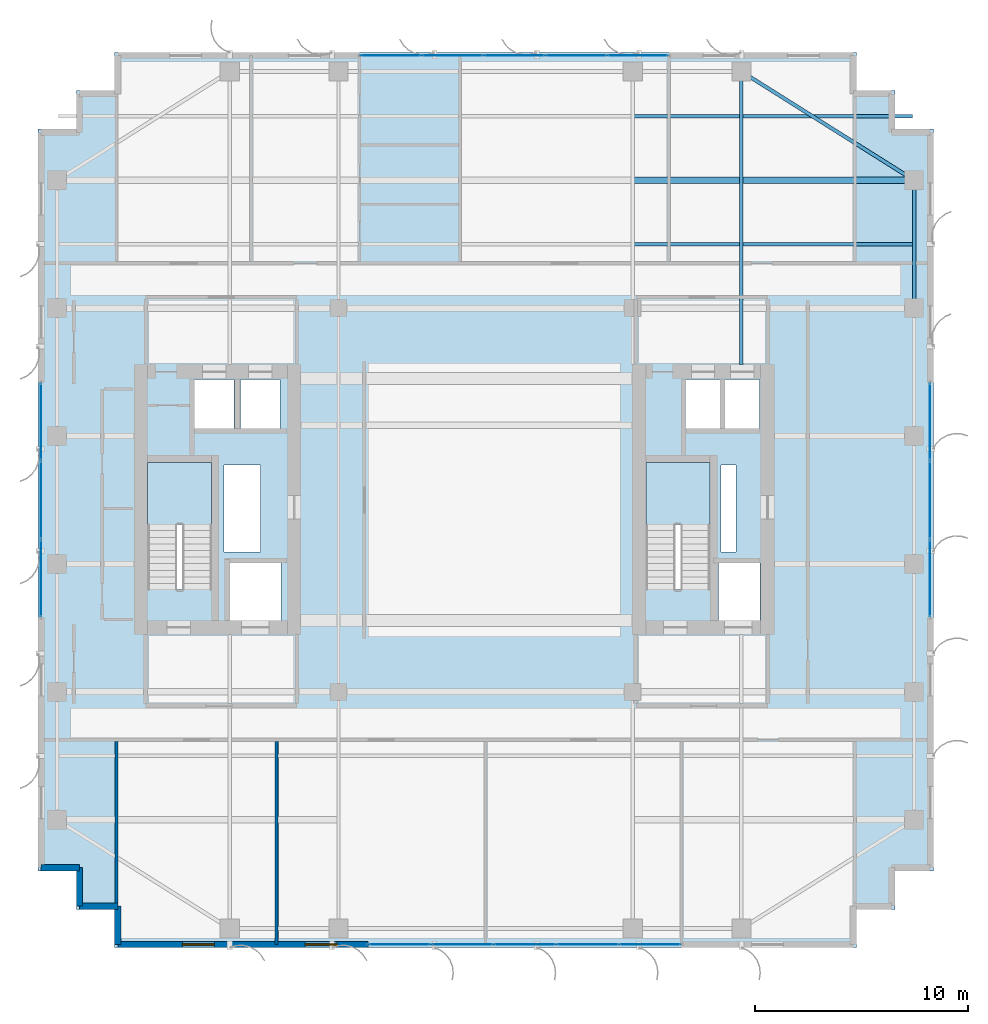
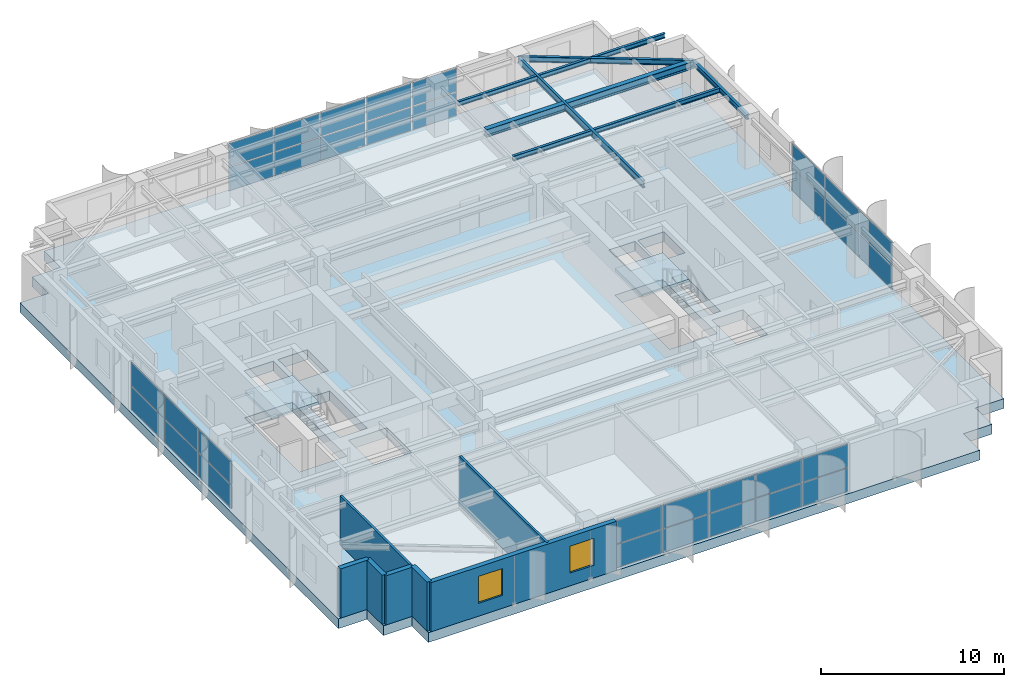
# One storey, part 18 of 25: 32 plates, 7 walls, 6 beams, 3 slabs, 2 windows, 2 openings, 6 elements without a shape of their own.
"""IFC4 building model written with IfcOpenShell, lengths in metres."""

from ifc_helpers import new_model, si_unit, direction, frame, frame_2d, origin, origin_2d, place, context, subcontext, project, spatial, polyline, rectangle, i_section, outline, extrude, source, transform, mapped, material, layer, layer_set, material_profile, profile_set, type_object, element, fill, aggregate, save


model = new_model("IFC4")

# Units and contexts
model_context = context("Model", 3, precision=1e-05, world=origin(), true_north=direction((0.0, 1.0)))
body_context = subcontext(model_context, "Body", "Model", "MODEL_VIEW")
ifc_project = project(units=[si_unit("LENGTHUNIT", "METRE"), si_unit("AREAUNIT", "SQUARE_METRE"), si_unit("VOLUMEUNIT", "CUBIC_METRE"), si_unit("PLANEANGLEUNIT", "RADIAN"), si_unit("MASSUNIT", "GRAM", prefix="KILO")], contexts=[model_context])

# Site, building, storey
site_placement = place(None, origin())
site = spatial("IfcSite", under=ifc_project, at=site_placement, CompositionType="ELEMENT")
building_placement = place(site_placement, origin())
building = spatial("IfcBuilding", under=site, at=building_placement, Name="Khoralis Quay Care Tower", CompositionType="ELEMENT")
storey_placement = place(building_placement, frame((0.0, 0.0, 216.89990234375)))
storey = spatial("IfcBuildingStorey", under=building, at=storey_placement, Name="L57", CompositionType="ELEMENT", Elevation=216.89990234375)

# Beams
ifc_material_1 = material(Name="Steel S355", Category="steel")
ifc_material_profile_1 = material_profile(ifc_material_1, i_section(OverallWidth=0.169921875, OverallDepth=0.360107421875, WebThickness=0.008056640625, FlangeThickness=0.0126953125, FilletRadius=0.01806640625, at=origin_2d()), Name="Steel S355")
ifc_profile_set_1 = profile_set([ifc_material_profile_1], Name="Steel S355")
beam_type_1 = type_object("IfcBeamType", Name="BM-IPE360", PredefinedType="SPANDREL", material=ifc_profile_set_1)
shared_shape_1 = source(origin(), body_context, "Body", "SweptSolid", [
    extrude(i_section(OverallWidth=0.169921875, OverallDepth=0.360107421875, WebThickness=0.008056640625, FlangeThickness=0.0126953125, FilletRadius=0.01806640625, at=origin_2d()), origin(), (0.0, 0.0, 1.0), 6.0),
])
beam_1_placement = place(storey_placement, frame((44.10009765625, 30.0, 3.10009765625), z_axis=(0.0, 1.0, 0.0), x_axis=(-1.0, 0.0, 0.0)))
element("IfcBeam", 1, at=beam_1_placement, inside=storey, type_object=beam_type_1, Name="BM-TSP-L57-16", PredefinedType="SPANDREL", context=body_context, shape_type="MappedRepresentation", body=[
    mapped(shared_shape_1, transform((0.0, 0.0, 0.0), scale=1.0)),
])
shared_shape_2 = source(origin(), body_context, "Body", "SweptSolid", [
    extrude(i_section(OverallWidth=0.169921875, OverallDepth=0.360107421875, WebThickness=0.008056640625, FlangeThickness=0.0126953125, FilletRadius=0.01806640625, at=origin_2d()), origin(), (0.0, 0.0, 1.0), 9.572021484375),
])
beam_2_placement = place(storey_placement, frame((36.0, 41.10009765625, 3.10009765625), z_axis=(0.846231136359, -0.532815975602, 0.0), x_axis=(0.532815975602, 0.846231136359, 0.0)))
element("IfcBeam", 2, at=beam_2_placement, inside=storey, type_object=beam_type_1, Name="BM-TCR-L57-20", PredefinedType="SPANDREL", context=body_context, shape_type="MappedRepresentation", body=[
    mapped(shared_shape_2, transform((0.0, 0.0, 0.0), scale=1.0)),
])
ifc_material_profile_2 = material_profile(ifc_material_1, i_section(OverallWidth=0.300048828125, OverallDepth=0.5, WebThickness=0.014404296875, FlangeThickness=0.028076171875, FilletRadius=0.027099609375, at=origin_2d()), Name="Steel S355")
ifc_profile_set_2 = profile_set([ifc_material_profile_2], Name="Steel S355")
beam_type_2 = type_object("IfcBeamType", Name="BM-HEB500", PredefinedType="BEAM", material=ifc_profile_set_2)
shared_shape_3 = source(origin(), body_context, "Body", "SweptSolid", [
    extrude(i_section(OverallWidth=0.300048828125, OverallDepth=0.5, WebThickness=0.014404296875, FlangeThickness=0.028076171875, FilletRadius=0.027099609375, at=origin_2d()), origin(), (0.0, 0.0, 1.0), 13.135009765625),
])
beam_3_placement = place(storey_placement, frame((30.965087890625, 36.0, 3.030029296875), z_axis=(1.0, 0.0, 0.0), x_axis=(0.0, 1.0, 0.0)))
element("IfcBeam", 3, at=beam_3_placement, inside=storey, type_object=beam_type_2, Name="BM-TGXE-L57-360", PredefinedType="BEAM", context=body_context, shape_type="MappedRepresentation", body=[
    mapped(shared_shape_3, transform((0.0, 0.0, 0.0), scale=1.0)),
])
ifc_material_profile_3 = material_profile(ifc_material_1, i_section(OverallWidth=0.154052734375, OverallDepth=0.458984375, WebThickness=0.009033203125, FlangeThickness=0.015380859375, FilletRadius=0.014892578125, at=origin_2d()), Name="Steel S355")
ifc_profile_set_3 = profile_set([ifc_material_profile_3], Name="Steel S355")
beam_type_3 = type_object("IfcBeamType", Name="BM-W460X68", PredefinedType="BEAM", material=ifc_profile_set_3)
shared_shape_4 = source(origin(), body_context, "Body", "SweptSolid", [
    extrude(i_section(OverallWidth=0.154052734375, OverallDepth=0.458984375, WebThickness=0.009033203125, FlangeThickness=0.015380859375, FilletRadius=0.014892578125, at=origin_2d()), origin(), (0.0, 0.0, 1.0), 13.752197265625),
])
beam_4_placement = place(storey_placement, frame((36.0, 27.347900390625, 3.050537109375), z_axis=(0.0, 1.0, 0.0), x_axis=(-1.0, 0.0, 0.0)))
element("IfcBeam", 4, at=beam_4_placement, inside=storey, type_object=beam_type_3, Name="BM-TGYN-L57-360", PredefinedType="BEAM", context=body_context, shape_type="MappedRepresentation", body=[
    mapped(shared_shape_4, transform((0.0, 0.0, 0.0), scale=1.0)),
])
ifc_material_profile_4 = material_profile(ifc_material_1, i_section(OverallWidth=0.1650390625, OverallDepth=0.31005859375, WebThickness=0.005859375, FlangeThickness=0.009765625, FilletRadius=0.011962890625, at=origin_2d()), Name="Steel S355")
ifc_profile_set_4 = profile_set([ifc_material_profile_4], Name="Steel S355")
beam_type_4 = type_object("IfcBeamType", Name="BM-W310X39", PredefinedType="JOIST", material=ifc_profile_set_4)
shared_shape_5 = source(origin(), body_context, "Body", "SweptSolid", [
    extrude(i_section(OverallWidth=0.1650390625, OverallDepth=0.31005859375, WebThickness=0.005859375, FlangeThickness=0.009765625, FilletRadius=0.011962890625, at=origin_2d()), origin(), (0.0, 0.0, 1.0), 13.06396484375),
])
for number, where, z_axis, x_axis, name in (
    (5, (30.965087890625, 33.0, 3.125), (1.0, 0.0, 0.0), (0.0, 1.0, 0.0), "BM-TJS-L57-25"),
    (6, (30.965087890625, 39.0, 3.125), (1.0, 0.0, 0.0), (0.0, 1.0, 0.0), "BM-TJS-L57-28"),
):
    element("IfcBeam", number, at=place(storey_placement, frame(where, z_axis=z_axis, x_axis=x_axis)), inside=storey, type_object=beam_type_4, Name=name, PredefinedType="JOIST", context=body_context, shape_type="MappedRepresentation", body=[
        mapped(shared_shape_5, transform((0.0, 0.0, 0.0), scale=1.0)),
    ])

# Stair, slab
ifc_material_2 = material(Name="Precast concrete C45/55", Category="concrete")
stair_type = type_object("IfcStairType", Name="ST-TWR-DOGLEG-1400", PredefinedType="HALF_TURN_STAIR", material=ifc_material_2)
stair_1_placement = place(storey_placement, origin())
stair_1 = element("IfcStair", 7, at=stair_1_placement, inside=storey, type_object=stair_type, Name="L57 West Core Exit Stair ST-T1", PredefinedType="HALF_TURN_STAIR")
ifc_layer_1 = layer(ifc_material_2, 0.199951171875)
ifc_layer_set_1 = layer_set([ifc_layer_1], Name="Precast concrete C45/55")
slab_type_1 = type_object("IfcSlabType", Name="SLB-LANDING-200", PredefinedType="LANDING", material=ifc_layer_set_1)
slab_1_placement = place(storey_placement, frame((0.0, 0.0, 1.60009765625)))
slab_1 = element("IfcSlab", 8, at=slab_1_placement, type_object=slab_type_1, Name="ST-T1 landing 1", PredefinedType="LANDING", context=body_context, shape_type="SweptSolid", body=[
    extrude(outline(polyline([(11.14990234375, 19.840087890625), (11.14990234375, 22.75), (8.14990234375, 22.75), (8.14990234375, 19.840087890625), (11.14990234375, 19.840087890625)])), origin(), (0.0, 0.0, 1.0), 0.199951171875),
])
aggregate(stair_1, [slab_1])

stair_2_placement = place(storey_placement, origin())
stair_2 = element("IfcStair", 9, at=stair_2_placement, inside=storey, type_object=stair_type, Name="L57 East Core Exit Stair ST-T2", PredefinedType="HALF_TURN_STAIR")
slab_2_placement = place(storey_placement, frame((0.0, 0.0, 1.60009765625)))
slab_2 = element("IfcSlab", 10, at=slab_2_placement, type_object=slab_type_1, Name="ST-T2 landing 1", PredefinedType="LANDING", context=body_context, shape_type="SweptSolid", body=[
    extrude(outline(polyline([(34.52001953125, 19.840087890625), (34.52001953125, 22.75), (31.52001953125, 22.75), (31.52001953125, 19.840087890625), (34.52001953125, 19.840087890625)])), origin(), (0.0, 0.0, 1.0), 0.199951171875),
])
aggregate(stair_2, [slab_2])

# Slab
ifc_material_3 = material(Name="Concrete C65/80", Category="concrete")
ifc_layer_2 = layer(ifc_material_3, 0.64990234375)
ifc_layer_set_2 = layer_set([ifc_layer_2], Name="Concrete C65/80")
slab_type_2 = type_object("IfcSlabType", Name="SLB-TRANS-650", PredefinedType="FLOOR", material=ifc_layer_set_2)
slab_3_placement = place(storey_placement, frame((0.0, 0.0, -0.64990234375)))
element("IfcSlab", 11, at=slab_3_placement, inside=storey, type_object=slab_type_2, Name="Tower Floor Slab L57", PredefinedType="FLOOR", context=body_context, shape_type="SweptSolid", body=[
    extrude(outline(polyline([(6.60009765625, 0.0), (41.39990234375, 0.0), (41.39990234375, 1.800048828125), (43.199951171875, 1.800048828125), (43.199951171875, 3.60009765625), (45.0, 3.60009765625), (45.0, 38.39990234375), (43.199951171875, 38.39990234375), (43.199951171875, 40.199951171875), (41.39990234375, 40.199951171875), (41.39990234375, 42.0), (6.60009765625, 42.0), (6.60009765625, 40.199951171875), (4.800048828125, 40.199951171875), (4.800048828125, 38.39990234375), (3.0, 38.39990234375), (3.0, 3.60009765625), (4.800048828125, 3.60009765625), (4.800048828125, 1.800048828125), (6.60009765625, 1.800048828125), (6.60009765625, 0.0)]), holes=[polyline([(11.14990234375, 16.800048828125), (11.14990234375, 22.75), (8.14990234375, 22.75), (8.14990234375, 16.800048828125), (11.14990234375, 16.800048828125)]), polyline([(34.52001953125, 16.800048828125), (34.52001953125, 22.75), (31.52001953125, 22.75), (31.52001953125, 16.800048828125), (34.52001953125, 16.800048828125)]), polyline([(12.0, 15.35009765625), (14.39990234375, 15.35009765625), (14.39990234375, 18.050048828125), (12.0, 18.050048828125), (12.0, 15.35009765625)]), polyline([(34.919921875, 15.35009765625), (36.8798828125, 15.35009765625), (36.8798828125, 18.050048828125), (34.919921875, 18.050048828125), (34.919921875, 15.35009765625)]), polyline([(10.35009765625, 24.35009765625), (12.199951171875, 24.35009765625), (12.199951171875, 26.64990234375), (10.35009765625, 26.64990234375), (10.35009765625, 24.35009765625)]), polyline([(33.3798828125, 24.35009765625), (35.030029296875, 24.35009765625), (35.030029296875, 26.64990234375), (33.3798828125, 26.64990234375), (33.3798828125, 24.35009765625)]), polyline([(12.5, 24.35009765625), (14.35009765625, 24.35009765625), (14.35009765625, 26.64990234375), (12.5, 26.64990234375), (12.5, 24.35009765625)]), polyline([(35.199951171875, 24.35009765625), (36.85009765625, 24.35009765625), (36.85009765625, 26.64990234375), (35.199951171875, 26.64990234375), (35.199951171875, 24.35009765625)]), polyline([(11.719970703125, 18.550048828125), (13.449951171875, 18.550048828125), (13.449951171875, 22.64990234375), (11.719970703125, 22.64990234375), (11.719970703125, 18.550048828125)]), polyline([(35.050048828125, 18.550048828125), (35.75, 18.550048828125), (35.75, 22.64990234375), (35.050048828125, 22.64990234375), (35.050048828125, 18.550048828125)])]), origin(), (0.0, 0.0, 1.0), 0.64990234375),
])

# Curtain wall, plates
ifc_material_4 = material(Name="Pale anodised aluminium", Category="aluminium")
ifc_layer_3 = layer(ifc_material_4, 0.159912109375)
ifc_layer_set_3 = layer_set([ifc_layer_3], Name="Pale anodised aluminium")
curtain_wall_type = type_object("IfcCurtainWallType", Name="CW-SYS-Z3", PredefinedType="NOTDEFINED", material=ifc_layer_set_3)
curtain_wall_1_placement = place(storey_placement, origin())
curtain_wall_1 = element("IfcCurtainWall", 12, at=curtain_wall_1_placement, inside=storey, type_object=curtain_wall_type, Name="L57 Unitised Curtain Wall CW-L57-P1-E0", PredefinedType="NOTDEFINED")
ifc_material_5 = material(Name="Low-E solar-control double glazing", Category="glass")
ifc_layer_4 = layer(ifc_material_5, 0.031982421875)
ifc_layer_set_4 = layer_set([ifc_layer_4], Name="Low-E solar-control double glazing")
plate_type = type_object("IfcPlateType", Name="PNL-VIS-32", PredefinedType="CURTAIN_PANEL", material=ifc_layer_set_4)
shared_shape_6 = source(origin(), body_context, "Body", "SweptSolid", [
    extrude(rectangle(XDim=2.85400390625, YDim=0.028076171875, at=origin_2d()), origin(), (0.0, 0.0, 1.0), 1.550048828125),
])
plate_1_placement = place(storey_placement, frame((19.967041015625, 0.14990234375, 0.06005859375), z_axis=(0.0, 0.0, 1.0), x_axis=(1.0, 0.0, 0.0)))
plate_1 = element("IfcPlate", 13, at=plate_1_placement, type_object=plate_type, Name="CW3 panel 1.1", PredefinedType="CURTAIN_PANEL", context=body_context, shape_type="MappedRepresentation", body=[
    mapped(shared_shape_6, transform((0.0, 0.0, 0.0), scale=1.0)),
])
plate_2_placement = place(storey_placement, frame((19.967041015625, 0.14990234375, 1.669921875), z_axis=(0.0, 0.0, 1.0), x_axis=(1.0, 0.0, 0.0)))
plate_2 = element("IfcPlate", 14, at=plate_2_placement, type_object=plate_type, Name="CW3 panel 1.2", PredefinedType="CURTAIN_PANEL", context=body_context, shape_type="MappedRepresentation", body=[
    mapped(shared_shape_6, transform((0.0, 0.0, 0.0), scale=1.0)),
])
plate_3_placement = place(storey_placement, frame((31.712890625, 0.14990234375, 0.06005859375), z_axis=(0.0, 0.0, 1.0), x_axis=(1.0, 0.0, 0.0)))
plate_3 = element("IfcPlate", 15, at=plate_3_placement, type_object=plate_type, Name="CW3 panel 5.1", PredefinedType="CURTAIN_PANEL", context=body_context, shape_type="MappedRepresentation", body=[
    mapped(shared_shape_6, transform((0.0, 0.0, 0.0), scale=1.0)),
])
plate_4_placement = place(storey_placement, frame((31.712890625, 0.14990234375, 1.669921875), z_axis=(0.0, 0.0, 1.0), x_axis=(1.0, 0.0, 0.0)))
plate_4 = element("IfcPlate", 16, at=plate_4_placement, type_object=plate_type, Name="CW3 panel 5.2", PredefinedType="CURTAIN_PANEL", context=body_context, shape_type="MappedRepresentation", body=[
    mapped(shared_shape_6, transform((0.0, 0.0, 0.0), scale=1.0)),
])
shared_shape_7 = source(origin(), body_context, "Body", "SweptSolid", [
    extrude(rectangle(XDim=2.884033203125, YDim=0.028076171875, at=origin_2d()), origin(), (0.0, 0.0, 1.0), 1.550048828125),
])
plate_5_placement = place(storey_placement, frame((22.89599609375, 0.14990234375, 0.06005859375), z_axis=(0.0, 0.0, 1.0), x_axis=(1.0, 0.0, 0.0)))
plate_5 = element("IfcPlate", 17, at=plate_5_placement, type_object=plate_type, Name="CW3 panel 2.1", PredefinedType="CURTAIN_PANEL", context=body_context, shape_type="MappedRepresentation", body=[
    mapped(shared_shape_7, transform((0.0, 0.0, 0.0), scale=1.0)),
])
plate_6_placement = place(storey_placement, frame((22.89599609375, 0.14990234375, 1.669921875), z_axis=(0.0, 0.0, 1.0), x_axis=(1.0, 0.0, 0.0)))
plate_6 = element("IfcPlate", 18, at=plate_6_placement, type_object=plate_type, Name="CW3 panel 2.2", PredefinedType="CURTAIN_PANEL", context=body_context, shape_type="MappedRepresentation", body=[
    mapped(shared_shape_7, transform((0.0, 0.0, 0.0), scale=1.0)),
])
plate_7_placement = place(storey_placement, frame((25.840087890625, 0.14990234375, 0.06005859375), z_axis=(0.0, 0.0, 1.0), x_axis=(1.0, 0.0, 0.0)))
plate_7 = element("IfcPlate", 19, at=plate_7_placement, type_object=plate_type, Name="CW3 panel 3.1", PredefinedType="CURTAIN_PANEL", context=body_context, shape_type="MappedRepresentation", body=[
    mapped(shared_shape_7, transform((0.0, 0.0, 0.0), scale=1.0)),
])
plate_8_placement = place(storey_placement, frame((25.840087890625, 0.14990234375, 1.669921875), z_axis=(0.0, 0.0, 1.0), x_axis=(1.0, 0.0, 0.0)))
plate_8 = element("IfcPlate", 20, at=plate_8_placement, type_object=plate_type, Name="CW3 panel 3.2", PredefinedType="CURTAIN_PANEL", context=body_context, shape_type="MappedRepresentation", body=[
    mapped(shared_shape_7, transform((0.0, 0.0, 0.0), scale=1.0)),
])
plate_9_placement = place(storey_placement, frame((28.783935546875, 0.14990234375, 0.06005859375), z_axis=(0.0, 0.0, 1.0), x_axis=(1.0, 0.0, 0.0)))
plate_9 = element("IfcPlate", 21, at=plate_9_placement, type_object=plate_type, Name="CW3 panel 4.1", PredefinedType="CURTAIN_PANEL", context=body_context, shape_type="MappedRepresentation", body=[
    mapped(shared_shape_7, transform((0.0, 0.0, 0.0), scale=1.0)),
])
plate_10_placement = place(storey_placement, frame((28.783935546875, 0.14990234375, 1.669921875), z_axis=(0.0, 0.0, 1.0), x_axis=(1.0, 0.0, 0.0)))
plate_10 = element("IfcPlate", 22, at=plate_10_placement, type_object=plate_type, Name="CW3 panel 4.2", PredefinedType="CURTAIN_PANEL", context=body_context, shape_type="MappedRepresentation", body=[
    mapped(shared_shape_7, transform((0.0, 0.0, 0.0), scale=1.0)),
])
aggregate(curtain_wall_1, [plate_1, plate_2, plate_5, plate_6, plate_7, plate_8, plate_9, plate_10, plate_3, plate_4])

curtain_wall_2_placement = place(storey_placement, origin())
curtain_wall_2 = element("IfcCurtainWall", 23, at=curtain_wall_2_placement, inside=storey, type_object=curtain_wall_type, Name="L57 Unitised Curtain Wall CW-L57-P1-E5", PredefinedType="NOTDEFINED")
shared_shape_8 = source(origin(), body_context, "Body", "SweptSolid", [
    extrude(rectangle(XDim=3.590087890625, YDim=0.028076171875, at=origin_2d()), origin(), (0.0, 0.0, 1.0), 1.550048828125),
])
plate_11_placement = place(storey_placement, frame((44.85009765625, 17.3349609375, 0.06005859375), z_axis=(0.0, 0.0, 1.0), x_axis=(0.0, 1.0, 0.0)))
plate_11 = element("IfcPlate", 24, at=plate_11_placement, type_object=plate_type, Name="CW3 panel 1.1", PredefinedType="CURTAIN_PANEL", context=body_context, shape_type="MappedRepresentation", body=[
    mapped(shared_shape_8, transform((0.0, 0.0, 0.0), scale=1.0)),
])
plate_12_placement = place(storey_placement, frame((44.85009765625, 17.3349609375, 1.669921875), z_axis=(0.0, 0.0, 1.0), x_axis=(0.0, 1.0, 0.0)))
plate_12 = element("IfcPlate", 25, at=plate_12_placement, type_object=plate_type, Name="CW3 panel 1.2", PredefinedType="CURTAIN_PANEL", context=body_context, shape_type="MappedRepresentation", body=[
    mapped(shared_shape_8, transform((0.0, 0.0, 0.0), scale=1.0)),
])
plate_13_placement = place(storey_placement, frame((44.85009765625, 24.6650390625, 0.06005859375), z_axis=(0.0, 0.0, 1.0), x_axis=(0.0, 1.0, 0.0)))
plate_13 = element("IfcPlate", 26, at=plate_13_placement, type_object=plate_type, Name="CW3 panel 3.1", PredefinedType="CURTAIN_PANEL", context=body_context, shape_type="MappedRepresentation", body=[
    mapped(shared_shape_8, transform((0.0, 0.0, 0.0), scale=1.0)),
])
plate_14_placement = place(storey_placement, frame((44.85009765625, 24.6650390625, 1.669921875), z_axis=(0.0, 0.0, 1.0), x_axis=(0.0, 1.0, 0.0)))
plate_14 = element("IfcPlate", 27, at=plate_14_placement, type_object=plate_type, Name="CW3 panel 3.2", PredefinedType="CURTAIN_PANEL", context=body_context, shape_type="MappedRepresentation", body=[
    mapped(shared_shape_8, transform((0.0, 0.0, 0.0), scale=1.0)),
])

curtain_wall_3_placement = place(storey_placement, origin())
curtain_wall_3 = element("IfcCurtainWall", 28, at=curtain_wall_3_placement, inside=storey, type_object=curtain_wall_type, Name="L57 Unitised Curtain Wall CW-L57-P1-E15", PredefinedType="NOTDEFINED")
plate_15_placement = place(storey_placement, frame((3.14990234375, 24.6650390625, 0.06005859375), z_axis=(0.0, 0.0, 1.0), x_axis=(0.0, -1.0, 0.0)))
plate_15 = element("IfcPlate", 29, at=plate_15_placement, type_object=plate_type, Name="CW3 panel 1.1", PredefinedType="CURTAIN_PANEL", context=body_context, shape_type="MappedRepresentation", body=[
    mapped(shared_shape_8, transform((0.0, 0.0, 0.0), scale=1.0)),
])
plate_16_placement = place(storey_placement, frame((3.14990234375, 24.6650390625, 1.669921875), z_axis=(0.0, 0.0, 1.0), x_axis=(0.0, -1.0, 0.0)))
plate_16 = element("IfcPlate", 30, at=plate_16_placement, type_object=plate_type, Name="CW3 panel 1.2", PredefinedType="CURTAIN_PANEL", context=body_context, shape_type="MappedRepresentation", body=[
    mapped(shared_shape_8, transform((0.0, 0.0, 0.0), scale=1.0)),
])
plate_17_placement = place(storey_placement, frame((3.14990234375, 17.3349609375, 0.06005859375), z_axis=(0.0, 0.0, 1.0), x_axis=(0.0, -1.0, 0.0)))
plate_17 = element("IfcPlate", 31, at=plate_17_placement, type_object=plate_type, Name="CW3 panel 3.1", PredefinedType="CURTAIN_PANEL", context=body_context, shape_type="MappedRepresentation", body=[
    mapped(shared_shape_8, transform((0.0, 0.0, 0.0), scale=1.0)),
])
plate_18_placement = place(storey_placement, frame((3.14990234375, 17.3349609375, 1.669921875), z_axis=(0.0, 0.0, 1.0), x_axis=(0.0, -1.0, 0.0)))
plate_18 = element("IfcPlate", 32, at=plate_18_placement, type_object=plate_type, Name="CW3 panel 3.2", PredefinedType="CURTAIN_PANEL", context=body_context, shape_type="MappedRepresentation", body=[
    mapped(shared_shape_8, transform((0.0, 0.0, 0.0), scale=1.0)),
])

# Plate
shared_shape_9 = source(origin(), body_context, "Body", "SweptSolid", [
    extrude(rectangle(XDim=3.6201171875, YDim=0.028076171875, at=origin_2d()), origin(), (0.0, 0.0, 1.0), 1.550048828125),
])
plate_19_placement = place(storey_placement, frame((44.85009765625, 21.0, 0.06005859375), z_axis=(0.0, 0.0, 1.0), x_axis=(0.0, 1.0, 0.0)))
plate_19 = element("IfcPlate", 33, at=plate_19_placement, type_object=plate_type, Name="CW3 panel 2.1", PredefinedType="CURTAIN_PANEL", context=body_context, shape_type="MappedRepresentation", body=[
    mapped(shared_shape_9, transform((0.0, 0.0, 0.0), scale=1.0)),
])

plate_20_placement = place(storey_placement, frame((44.85009765625, 21.0, 1.669921875), z_axis=(0.0, 0.0, 1.0), x_axis=(0.0, 1.0, 0.0)))
plate_20 = element("IfcPlate", 34, at=plate_20_placement, type_object=plate_type, Name="CW3 panel 2.2", PredefinedType="CURTAIN_PANEL", context=body_context, shape_type="MappedRepresentation", body=[
    mapped(shared_shape_9, transform((0.0, 0.0, 0.0), scale=1.0)),
])

aggregate(curtain_wall_2, [plate_11, plate_12, plate_19, plate_20, plate_13, plate_14])

plate_21_placement = place(storey_placement, frame((3.14990234375, 21.0, 0.06005859375), z_axis=(0.0, 0.0, 1.0), x_axis=(0.0, -1.0, 0.0)))
plate_21 = element("IfcPlate", 35, at=plate_21_placement, type_object=plate_type, Name="CW3 panel 2.1", PredefinedType="CURTAIN_PANEL", context=body_context, shape_type="MappedRepresentation", body=[
    mapped(shared_shape_9, transform((0.0, 0.0, 0.0), scale=1.0)),
])

plate_22_placement = place(storey_placement, frame((3.14990234375, 21.0, 1.669921875), z_axis=(0.0, 0.0, 1.0), x_axis=(0.0, -1.0, 0.0)))
plate_22 = element("IfcPlate", 36, at=plate_22_placement, type_object=plate_type, Name="CW3 panel 2.2", PredefinedType="CURTAIN_PANEL", context=body_context, shape_type="MappedRepresentation", body=[
    mapped(shared_shape_9, transform((0.0, 0.0, 0.0), scale=1.0)),
])

aggregate(curtain_wall_3, [plate_15, plate_16, plate_21, plate_22, plate_17, plate_18])

# Curtain wall, plates
curtain_wall_4_placement = place(storey_placement, origin())
curtain_wall_4 = element("IfcCurtainWall", 37, at=curtain_wall_4_placement, inside=storey, type_object=curtain_wall_type, Name="L57 Unitised Curtain Wall CW-L57-P1-E10", PredefinedType="NOTDEFINED")
shared_shape_10 = source(origin(), body_context, "Body", "SweptSolid", [
    extrude(rectangle(XDim=2.810791015625, YDim=0.028076171875, at=origin_2d()), origin(), (0.0, 0.0, 1.0), 1.550048828125),
])
plate_23_placement = place(storey_placement, frame((31.134521484375, 41.85009765625, 0.06005859375), z_axis=(0.0, 0.0, 1.0), x_axis=(-1.0, 0.0, 0.0)))
plate_23 = element("IfcPlate", 38, at=plate_23_placement, type_object=plate_type, Name="CW3 panel 1.1", PredefinedType="CURTAIN_PANEL", context=body_context, shape_type="MappedRepresentation", body=[
    mapped(shared_shape_10, transform((0.0, 0.0, 0.0), scale=1.0)),
])
plate_24_placement = place(storey_placement, frame((31.134521484375, 41.85009765625, 1.669921875), z_axis=(0.0, 0.0, 1.0), x_axis=(-1.0, 0.0, 0.0)))
plate_24 = element("IfcPlate", 39, at=plate_24_placement, type_object=plate_type, Name="CW3 panel 1.2", PredefinedType="CURTAIN_PANEL", context=body_context, shape_type="MappedRepresentation", body=[
    mapped(shared_shape_10, transform((0.0, 0.0, 0.0), scale=1.0)),
])
plate_25_placement = place(storey_placement, frame((19.561279296875, 41.85009765625, 0.06005859375), z_axis=(0.0, 0.0, 1.0), x_axis=(-1.0, 0.0, 0.0)))
plate_25 = element("IfcPlate", 40, at=plate_25_placement, type_object=plate_type, Name="CW3 panel 5.1", PredefinedType="CURTAIN_PANEL", context=body_context, shape_type="MappedRepresentation", body=[
    mapped(shared_shape_10, transform((0.0, 0.0, 0.0), scale=1.0)),
])
plate_26_placement = place(storey_placement, frame((19.561279296875, 41.85009765625, 1.669921875), z_axis=(0.0, 0.0, 1.0), x_axis=(-1.0, 0.0, 0.0)))
plate_26 = element("IfcPlate", 41, at=plate_26_placement, type_object=plate_type, Name="CW3 panel 5.2", PredefinedType="CURTAIN_PANEL", context=body_context, shape_type="MappedRepresentation", body=[
    mapped(shared_shape_10, transform((0.0, 0.0, 0.0), scale=1.0)),
])
shared_shape_11 = source(origin(), body_context, "Body", "SweptSolid", [
    extrude(rectangle(XDim=2.8408203125, YDim=0.028076171875, at=origin_2d()), origin(), (0.0, 0.0, 1.0), 1.550048828125),
])
plate_27_placement = place(storey_placement, frame((28.248779296875, 41.85009765625, 0.06005859375), z_axis=(0.0, 0.0, 1.0), x_axis=(-1.0, 0.0, 0.0)))
plate_27 = element("IfcPlate", 42, at=plate_27_placement, type_object=plate_type, Name="CW3 panel 2.1", PredefinedType="CURTAIN_PANEL", context=body_context, shape_type="MappedRepresentation", body=[
    mapped(shared_shape_11, transform((0.0, 0.0, 0.0), scale=1.0)),
])
plate_28_placement = place(storey_placement, frame((28.248779296875, 41.85009765625, 1.669921875), z_axis=(0.0, 0.0, 1.0), x_axis=(-1.0, 0.0, 0.0)))
plate_28 = element("IfcPlate", 43, at=plate_28_placement, type_object=plate_type, Name="CW3 panel 2.2", PredefinedType="CURTAIN_PANEL", context=body_context, shape_type="MappedRepresentation", body=[
    mapped(shared_shape_11, transform((0.0, 0.0, 0.0), scale=1.0)),
])
plate_29_placement = place(storey_placement, frame((25.347900390625, 41.85009765625, 0.06005859375), z_axis=(0.0, 0.0, 1.0), x_axis=(-1.0, 0.0, 0.0)))
plate_29 = element("IfcPlate", 44, at=plate_29_placement, type_object=plate_type, Name="CW3 panel 3.1", PredefinedType="CURTAIN_PANEL", context=body_context, shape_type="MappedRepresentation", body=[
    mapped(shared_shape_11, transform((0.0, 0.0, 0.0), scale=1.0)),
])
plate_30_placement = place(storey_placement, frame((25.347900390625, 41.85009765625, 1.669921875), z_axis=(0.0, 0.0, 1.0), x_axis=(-1.0, 0.0, 0.0)))
plate_30 = element("IfcPlate", 45, at=plate_30_placement, type_object=plate_type, Name="CW3 panel 3.2", PredefinedType="CURTAIN_PANEL", context=body_context, shape_type="MappedRepresentation", body=[
    mapped(shared_shape_11, transform((0.0, 0.0, 0.0), scale=1.0)),
])
plate_31_placement = place(storey_placement, frame((22.447265625, 41.85009765625, 0.06005859375), z_axis=(0.0, 0.0, 1.0), x_axis=(-1.0, 0.0, 0.0)))
plate_31 = element("IfcPlate", 46, at=plate_31_placement, type_object=plate_type, Name="CW3 panel 4.1", PredefinedType="CURTAIN_PANEL", context=body_context, shape_type="MappedRepresentation", body=[
    mapped(shared_shape_11, transform((0.0, 0.0, 0.0), scale=1.0)),
])
plate_32_placement = place(storey_placement, frame((22.447265625, 41.85009765625, 1.669921875), z_axis=(0.0, 0.0, 1.0), x_axis=(-1.0, 0.0, 0.0)))
plate_32 = element("IfcPlate", 47, at=plate_32_placement, type_object=plate_type, Name="CW3 panel 4.2", PredefinedType="CURTAIN_PANEL", context=body_context, shape_type="MappedRepresentation", body=[
    mapped(shared_shape_11, transform((0.0, 0.0, 0.0), scale=1.0)),
])
aggregate(curtain_wall_4, [plate_23, plate_24, plate_27, plate_28, plate_29, plate_30, plate_31, plate_32, plate_25, plate_26])

# Wall, openings, windows
ifc_layer_5 = layer(ifc_material_2, 0.300048828125)
ifc_layer_set_5 = layer_set([ifc_layer_5], Name="Precast concrete C45/55")
wall_type_1 = type_object("IfcWallType", Name="WL-EXT-REF-300", PredefinedType="SOLIDWALL", material=ifc_layer_set_5)
wall_1_placement = place(storey_placement, frame((6.75, 0.14990234375, 0.0), z_axis=(0.0, 0.0, 1.0), x_axis=(1.0, 0.0, 0.0)))
wall_1 = element("IfcWall", 48, at=wall_1_placement, inside=storey, type_object=wall_type_1, Name="L57 External Facade Wall WL-EXT-L57-P1-E0A", PredefinedType="SOLIDWALL", context=body_context, shape_type="SweptSolid", body=[
    extrude(rectangle(XDim=11.72998046875, YDim=0.300048828125, at=frame_2d((5.864990234375, 0.0))), origin(), (0.0, 0.0, 1.0), 3.280029296875),
])
opening_1_placement = place(wall_1_placement, frame((3.02490234375, 0.0, 0.85009765625)))
opening_1 = element("IfcOpeningElement", 49, at=opening_1_placement, cuts=wall_1, Name="Opening W3", PredefinedType="OPENING", context=body_context, shape_type="SweptSolid", body=[
    extrude(rectangle(XDim=1.5, YDim=1.800048828125, at=frame_2d((0.75, 0.89990234375))), frame((0.0, 0.16015625, 0.0), z_axis=(0.0, -1.0, 0.0), x_axis=(1.0, 0.0, 0.0)), (0.0, 0.0, 1.0), 0.320068359375),
])
opening_2_placement = place(wall_1_placement, frame((8.7900390625, 0.0, 0.85009765625)))
opening_2 = element("IfcOpeningElement", 50, at=opening_2_placement, cuts=wall_1, Name="Opening W3", PredefinedType="OPENING", context=body_context, shape_type="SweptSolid", body=[
    extrude(rectangle(XDim=1.5, YDim=1.800048828125, at=frame_2d((0.75, 0.89990234375))), frame((0.0, 0.16015625, 0.0), z_axis=(0.0, -1.0, 0.0), x_axis=(1.0, 0.0, 0.0)), (0.0, 0.0, 1.0), 0.320068359375),
])
window_type = type_object("IfcWindowType", Name="WN-CLIN-1500X1800", PartitioningType="SINGLE_PANEL", PredefinedType="WINDOW", material=ifc_material_5)
shared_shape_12 = source(origin(), body_context, "Body", "SweptSolid", [
    extrude(rectangle(XDim=1.5, YDim=1.800048828125, at=frame_2d((0.75, 0.89990234375))), frame((0.0, 0.030029296875, 0.0), z_axis=(0.0, -1.0, 0.0), x_axis=(1.0, 0.0, 0.0)), (0.0, 0.0, 1.0), 0.06005859375),
])
window_1_placement = place(opening_1_placement, origin())
window_1 = element("IfcWindow", 51, at=window_1_placement, inside=storey, type_object=window_type, Name="WN-L57-P1-E0A Facade Window 01", OverallHeight=1.800048828125, OverallWidth=1.5, PartitioningType="SINGLE_PANEL", PredefinedType="WINDOW", context=body_context, shape_type="MappedRepresentation", body=[
    mapped(shared_shape_12, transform((0.0, 0.0, 0.0), scale=1.0)),
])
fill(opening_1, window_1)
window_2_placement = place(opening_2_placement, origin())
window_2 = element("IfcWindow", 52, at=window_2_placement, inside=storey, type_object=window_type, Name="WN-L57-P1-E0A Facade Window 02", OverallHeight=1.800048828125, OverallWidth=1.5, PartitioningType="SINGLE_PANEL", PredefinedType="WINDOW", context=body_context, shape_type="MappedRepresentation", body=[
    mapped(shared_shape_12, transform((0.0, 0.0, 0.0), scale=1.0)),
])
fill(opening_2, window_2)

# Walls
for number, where, z_axis, x_axis, name in (
    (53, (3.14990234375, 3.75, 0.0), (0.0, 0.0, 1.0), (1.0, 0.0, 0.0), "L57 External Facade Wall WL-EXT-L57-P1-C16"),
    (54, (4.949951171875, 3.75, 0.0), (0.0, 0.0, 1.0), (0.0, -1.0, 0.0), "L57 External Facade Wall WL-EXT-L57-P1-C17"),
    (55, (4.949951171875, 1.949951171875, 0.0), (0.0, 0.0, 1.0), (1.0, 0.0, 0.0), "L57 External Facade Wall WL-EXT-L57-P1-C18"),
    (56, (6.75, 1.949951171875, 0.0), (0.0, 0.0, 1.0), (0.0, -1.0, 0.0), "L57 External Facade Wall WL-EXT-L57-P1-C19"),
):
    element("IfcWall", number, at=place(storey_placement, frame(where, z_axis=z_axis, x_axis=x_axis)), inside=storey, type_object=wall_type_1, Name=name, PredefinedType="SOLIDWALL", context=body_context, shape_type="SweptSolid", body=[
        extrude(rectangle(XDim=1.800048828125, YDim=0.300048828125, at=frame_2d((0.89990234375, 0.0))), origin(), (0.0, 0.0, 1.0), 3.280029296875),
    ])
ifc_material_6 = material(Name="Gypsum plasterboard on acoustic metal stud")
ifc_layer_6 = layer(ifc_material_6, 0.139892578125)
ifc_layer_set_6 = layer_set([ifc_layer_6], Name="Gypsum plasterboard on acoustic metal stud")
wall_type_2 = type_object("IfcWallType", Name="WL-UNIT-140", PredefinedType="PARTITIONING", material=ifc_layer_set_6)
wall_2_placement = place(storey_placement, frame((6.679931640625, 1.945068359375, 0.0), z_axis=(0.0, 0.0, 1.0), x_axis=(0.0, 1.0, 0.0)))
element("IfcWall", 57, at=wall_2_placement, inside=storey, type_object=wall_type_2, Name="L57 SB Demising Wall 0", PredefinedType="PARTITIONING", context=body_context, shape_type="SweptSolid", body=[
    extrude(rectangle(XDim=7.7275390625, YDim=0.139892578125, at=frame_2d((3.86376953125, 0.0))), origin(), (0.0, 0.0, 1.0), 3.280029296875),
])
wall_3_placement = place(storey_placement, frame((14.199951171875, 0.14501953125, 0.0), z_axis=(0.0, 0.0, 1.0), x_axis=(0.0, 1.0, 0.0)))
element("IfcWall", 58, at=wall_3_placement, inside=storey, type_object=wall_type_2, Name="L57 SB Demising Wall 1", PredefinedType="PARTITIONING", context=body_context, shape_type="SweptSolid", body=[
    extrude(rectangle(XDim=9.527587890625, YDim=0.139892578125, at=frame_2d((4.763671875, 0.0))), origin(), (0.0, 0.0, 1.0), 3.280029296875),
])

save(model, "model.ifc")
